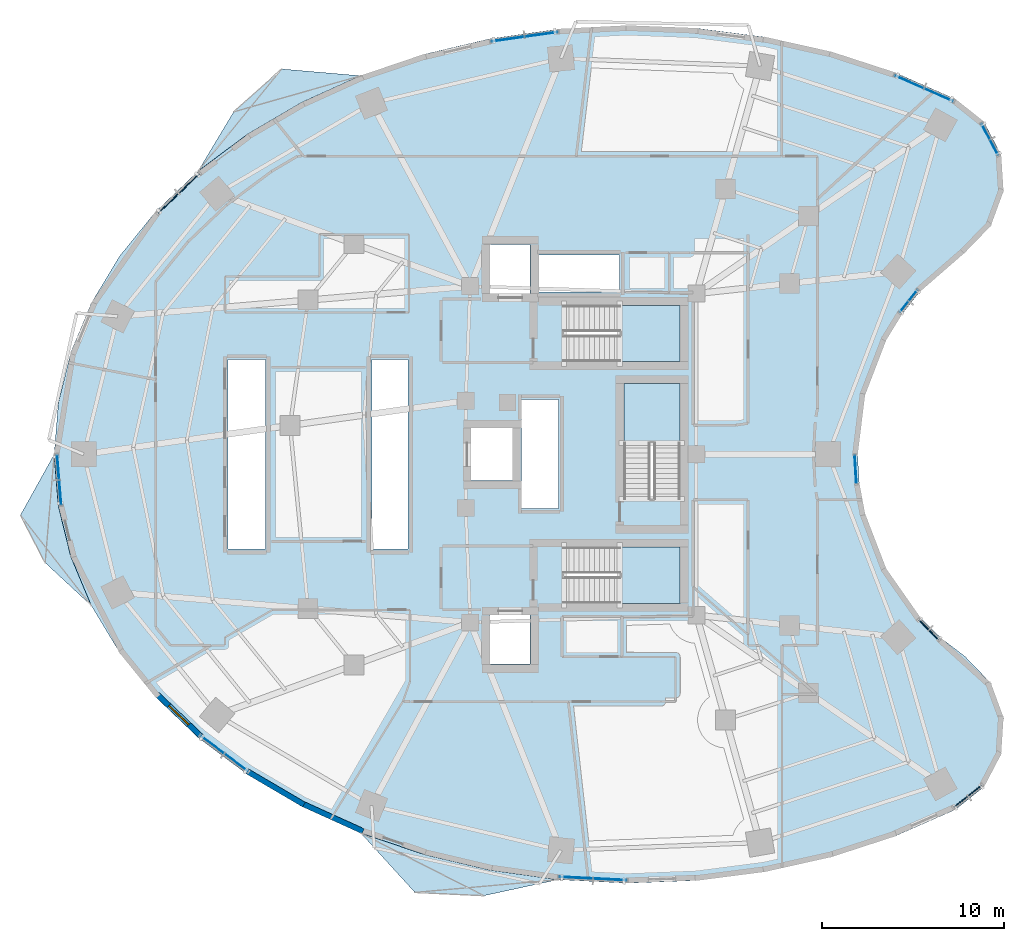
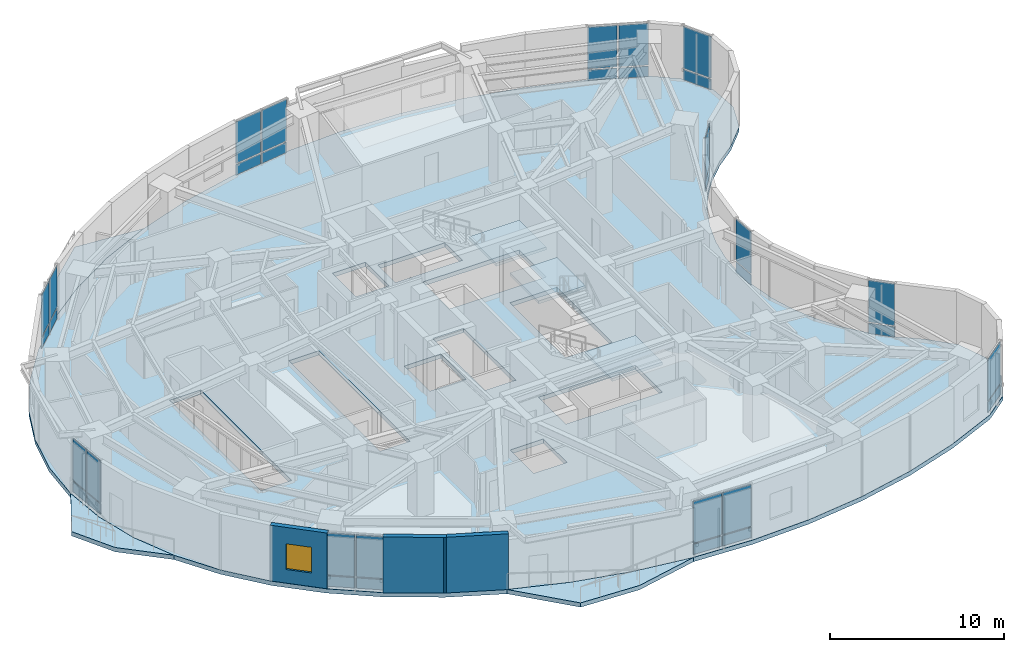
# One storey, part 7 of 15: 34 plates, 7 slabs, 3 walls, 1 window, 1 opening, 14 elements without a shape of their own.
"""IFC4 building model written with IfcOpenShell, lengths in metres."""

from ifc_helpers import new_model, si_unit, direction, frame, frame_2d, origin, origin_2d, place, context, subcontext, project, spatial, polyline, rectangle, outline, extrude, material, layer, layer_set, type_object, element, fill, aggregate, save


model = new_model("IFC4")

# Units and contexts
model_context = context("Model", 3, precision=1e-05, world=origin(), true_north=direction((0.0, 1.0)))
body_context = subcontext(model_context, "Body", "Model", "MODEL_VIEW")
ifc_project = project(units=[si_unit("LENGTHUNIT", "METRE"), si_unit("AREAUNIT", "SQUARE_METRE"), si_unit("VOLUMEUNIT", "CUBIC_METRE"), si_unit("PLANEANGLEUNIT", "RADIAN"), si_unit("MASSUNIT", "GRAM", prefix="KILO")], contexts=[model_context])

# Site, building, storey
site_placement = place(None, origin())
site = spatial("IfcSite", under=ifc_project, at=site_placement, CompositionType="ELEMENT")
building_placement = place(site_placement, origin())
building = spatial("IfcBuilding", under=site, at=building_placement, Name="Korentha Bioscience Tower", CompositionType="ELEMENT")
storey_placement = place(building_placement, frame((0.0, 0.0, 72.0)))
storey = spatial("IfcBuildingStorey", under=building, at=storey_placement, Name="L16", CompositionType="ELEMENT", Elevation=72.0)

# Curtain wall, plates
ifc_material_1 = material(Name="Thermally Broken Aluminium Frame", Category="aluminium")
ifc_layer_1 = layer(ifc_material_1, 0.219970703125, Name="Thermally Broken Aluminium Frame")
ifc_layer_set_1 = layer_set([ifc_layer_1], Name="Thermally Broken Aluminium Frame (CW-T2)")
curtain_wall_type_1 = type_object("IfcCurtainWallType", Name="Solar-Screened Lab Unitised Curtain Wall CW-T2", PredefinedType="USERDEFINED", material=ifc_layer_set_1)
curtain_wall_1_placement = place(storey_placement, origin())
curtain_wall_1 = element("IfcCurtainWall", 1, at=curtain_wall_1_placement, inside=storey, type_object=curtain_wall_type_1, Name="L16 Curtain Wall 01", ObjectType="UNITISED", PredefinedType="USERDEFINED")
ifc_material_2 = material(Name="Triple-Glazed Low-E Insulated Glass", Category="glass")
ifc_layer_2 = layer(ifc_material_2, 0.0439453125, Name="Triple-Glazed Low-E Insulated Glass")
ifc_layer_set_2 = layer_set([ifc_layer_2], Name="Triple-Glazed Low-E Insulated Glass (GL-44)")
plate_type = type_object("IfcPlateType", Name="Glazed Panel 44mm", PredefinedType="CURTAIN_PANEL", material=ifc_layer_set_2)
plate_1_placement = place(storey_placement, frame((50.893310546875, 46.780029296875, 0.08984375), z_axis=(0.0, 0.0, 1.0), x_axis=(-0.91593909057, 0.401317308828, 0.0)))
plate_1 = element("IfcPlate", 2, at=plate_1_placement, type_object=plate_type, Name="CW-L16-01 Bay 1 Glazed Panel 1", PredefinedType="CURTAIN_PANEL", context=body_context, shape_type="SweptSolid", body=[
    extrude(rectangle(XDim=1.701171875, YDim=0.0439453125, at=origin_2d()), origin(), (0.0, 0.0, 1.0), 0.715087890625),
])
plate_2_placement = place(storey_placement, frame((50.893310546875, 46.780029296875, 0.89501953125), z_axis=(0.0, 0.0, 1.0), x_axis=(-0.91593909057, 0.401317308828, 0.0)))
plate_2 = element("IfcPlate", 3, at=plate_2_placement, type_object=plate_type, Name="CW-L16-01 Bay 1 Glazed Panel 2", PredefinedType="CURTAIN_PANEL", context=body_context, shape_type="SweptSolid", body=[
    extrude(rectangle(XDim=1.701171875, YDim=0.0439453125, at=origin_2d()), origin(), (0.0, 0.0, 1.0), 2.9150390625),
])
plate_3_placement = place(storey_placement, frame((49.25244140625, 47.498779296875, 0.08984375), z_axis=(0.0, 0.0, 1.0), x_axis=(-0.91593909057, 0.401317308828, 0.0)))
plate_3 = element("IfcPlate", 4, at=plate_3_placement, type_object=plate_type, Name="CW-L16-01 Bay 2 Glazed Panel 1", PredefinedType="CURTAIN_PANEL", context=body_context, shape_type="SweptSolid", body=[
    extrude(rectangle(XDim=1.701171875, YDim=0.0439453125, at=origin_2d()), origin(), (0.0, 0.0, 1.0), 0.715087890625),
])
plate_4_placement = place(storey_placement, frame((49.25244140625, 47.498779296875, 0.89501953125), z_axis=(0.0, 0.0, 1.0), x_axis=(-0.91593909057, 0.401317308828, 0.0)))
plate_4 = element("IfcPlate", 5, at=plate_4_placement, type_object=plate_type, Name="CW-L16-01 Bay 2 Glazed Panel 2", PredefinedType="CURTAIN_PANEL", context=body_context, shape_type="SweptSolid", body=[
    extrude(rectangle(XDim=1.701171875, YDim=0.0439453125, at=origin_2d()), origin(), (0.0, 0.0, 1.0), 2.9150390625),
])
aggregate(curtain_wall_1, [plate_1, plate_2, plate_3, plate_4])

curtain_wall_2_placement = place(storey_placement, origin())
curtain_wall_2 = element("IfcCurtainWall", 6, at=curtain_wall_2_placement, inside=storey, type_object=curtain_wall_type_1, Name="L16 Curtain Wall 07", ObjectType="UNITISED", PredefinedType="USERDEFINED")
plate_5_placement = place(storey_placement, frame((29.0224609375, 50.11572265625, 0.08984375), z_axis=(0.0, 0.0, 1.0), x_axis=(-0.990167372968, -0.139887717511, 0.0)))
plate_5 = element("IfcPlate", 7, at=plate_5_placement, type_object=plate_type, Name="CW-L16-07 Bay 1 Glazed Panel 1", PredefinedType="CURTAIN_PANEL", context=body_context, shape_type="SweptSolid", body=[
    extrude(rectangle(XDim=1.800537109375, YDim=0.0439453125, at=origin_2d()), origin(), (0.0, 0.0, 1.0), 0.715087890625),
])
plate_6_placement = place(storey_placement, frame((29.0224609375, 50.11572265625, 0.89501953125), z_axis=(0.0, 0.0, 1.0), x_axis=(-0.990167372968, -0.139887717511, 0.0)))
plate_6 = element("IfcPlate", 8, at=plate_6_placement, type_object=plate_type, Name="CW-L16-07 Bay 1 Glazed Panel 2", PredefinedType="CURTAIN_PANEL", context=body_context, shape_type="SweptSolid", body=[
    extrude(rectangle(XDim=1.800537109375, YDim=0.0439453125, at=origin_2d()), origin(), (0.0, 0.0, 1.0), 2.9150390625),
])
plate_7_placement = place(storey_placement, frame((27.150634765625, 49.851318359375, 0.08984375), z_axis=(0.0, 0.0, 1.0), x_axis=(-0.990167372968, -0.139887717511, 0.0)))
plate_7 = element("IfcPlate", 9, at=plate_7_placement, type_object=plate_type, Name="CW-L16-07 Bay 2 Glazed Panel 1", PredefinedType="CURTAIN_PANEL", context=body_context, shape_type="SweptSolid", body=[
    extrude(rectangle(XDim=1.800537109375, YDim=0.0439453125, at=origin_2d()), origin(), (0.0, 0.0, 1.0), 0.715087890625),
])
plate_8_placement = place(storey_placement, frame((27.150634765625, 49.851318359375, 0.89501953125), z_axis=(0.0, 0.0, 1.0), x_axis=(-0.990167372968, -0.139887717511, 0.0)))
plate_8 = element("IfcPlate", 10, at=plate_8_placement, type_object=plate_type, Name="CW-L16-07 Bay 2 Glazed Panel 2", PredefinedType="CURTAIN_PANEL", context=body_context, shape_type="SweptSolid", body=[
    extrude(rectangle(XDim=1.800537109375, YDim=0.0439453125, at=origin_2d()), origin(), (0.0, 0.0, 1.0), 2.9150390625),
])
aggregate(curtain_wall_2, [plate_5, plate_6, plate_7, plate_8])

curtain_wall_3_placement = place(storey_placement, origin())
curtain_wall_3 = element("IfcCurtainWall", 11, at=curtain_wall_3_placement, inside=storey, type_object=curtain_wall_type_1, Name="L16 Curtain Wall 13", ObjectType="UNITISED", PredefinedType="USERDEFINED")
plate_9_placement = place(storey_placement, frame((9.643798828125, 41.9091796875, 0.08984375), z_axis=(0.0, 0.0, 1.0), x_axis=(-0.723641761581, -0.690175775361, 0.0)))
plate_9 = element("IfcPlate", 12, at=plate_9_placement, type_object=plate_type, Name="CW-L16-13 Bay 1 Glazed Panel 1", PredefinedType="CURTAIN_PANEL", context=body_context, shape_type="SweptSolid", body=[
    extrude(rectangle(XDim=1.5263671875, YDim=0.0439453125, at=origin_2d()), origin(), (0.0, 0.0, 1.0), 0.715087890625),
])
plate_10_placement = place(storey_placement, frame((9.643798828125, 41.9091796875, 0.89501953125), z_axis=(0.0, 0.0, 1.0), x_axis=(-0.723641761581, -0.690175775361, 0.0)))
plate_10 = element("IfcPlate", 13, at=plate_10_placement, type_object=plate_type, Name="CW-L16-13 Bay 1 Glazed Panel 2", PredefinedType="CURTAIN_PANEL", context=body_context, shape_type="SweptSolid", body=[
    extrude(rectangle(XDim=1.5263671875, YDim=0.0439453125, at=origin_2d()), origin(), (0.0, 0.0, 1.0), 2.9150390625),
])
plate_11_placement = place(storey_placement, frame((8.47412109375, 40.793701171875, 0.08984375), z_axis=(0.0, 0.0, 1.0), x_axis=(-0.723641761581, -0.690175775361, 0.0)))
plate_11 = element("IfcPlate", 14, at=plate_11_placement, type_object=plate_type, Name="CW-L16-13 Bay 2 Glazed Panel 1", PredefinedType="CURTAIN_PANEL", context=body_context, shape_type="SweptSolid", body=[
    extrude(rectangle(XDim=1.5263671875, YDim=0.0439453125, at=origin_2d()), origin(), (0.0, 0.0, 1.0), 0.715087890625),
])
plate_12_placement = place(storey_placement, frame((8.47412109375, 40.793701171875, 0.89501953125), z_axis=(0.0, 0.0, 1.0), x_axis=(-0.723641761581, -0.690175775361, 0.0)))
plate_12 = element("IfcPlate", 15, at=plate_12_placement, type_object=plate_type, Name="CW-L16-13 Bay 2 Glazed Panel 2", PredefinedType="CURTAIN_PANEL", context=body_context, shape_type="SweptSolid", body=[
    extrude(rectangle(XDim=1.5263671875, YDim=0.0439453125, at=origin_2d()), origin(), (0.0, 0.0, 1.0), 2.9150390625),
])
aggregate(curtain_wall_3, [plate_9, plate_10, plate_11, plate_12])

curtain_wall_4_placement = place(storey_placement, origin())
curtain_wall_4 = element("IfcCurtainWall", 16, at=curtain_wall_4_placement, inside=storey, type_object=curtain_wall_type_1, Name="L16 Curtain Wall 19", ObjectType="UNITISED", PredefinedType="USERDEFINED")
plate_13_placement = place(storey_placement, frame((2.4169921875, 26.302734375, 0.08984375), z_axis=(0.0, 0.0, 1.0), x_axis=(0.080820466375, -0.996728675325, 0.0)))
plate_13 = element("IfcPlate", 17, at=plate_13_placement, type_object=plate_type, Name="CW-L16-19 Bay 1 Glazed Panel 1", PredefinedType="CURTAIN_PANEL", context=body_context, shape_type="SweptSolid", body=[
    extrude(rectangle(XDim=1.324951171875, YDim=0.0439453125, at=origin_2d()), origin(), (0.0, 0.0, 1.0), 0.715087890625),
])
plate_14_placement = place(storey_placement, frame((2.4169921875, 26.302734375, 0.89501953125), z_axis=(0.0, 0.0, 1.0), x_axis=(0.080820466375, -0.996728675325, 0.0)))
plate_14 = element("IfcPlate", 18, at=plate_14_placement, type_object=plate_type, Name="CW-L16-19 Bay 1 Glazed Panel 2", PredefinedType="CURTAIN_PANEL", context=body_context, shape_type="SweptSolid", body=[
    extrude(rectangle(XDim=1.324951171875, YDim=0.0439453125, at=origin_2d()), origin(), (0.0, 0.0, 1.0), 2.9150390625),
])
plate_15_placement = place(storey_placement, frame((2.531494140625, 24.892333984375, 0.08984375), z_axis=(0.0, 0.0, 1.0), x_axis=(0.080820466375, -0.996728675325, 0.0)))
plate_15 = element("IfcPlate", 19, at=plate_15_placement, type_object=plate_type, Name="CW-L16-19 Bay 2 Glazed Panel 1", PredefinedType="CURTAIN_PANEL", context=body_context, shape_type="SweptSolid", body=[
    extrude(rectangle(XDim=1.324951171875, YDim=0.0439453125, at=origin_2d()), origin(), (0.0, 0.0, 1.0), 0.715087890625),
])
plate_16_placement = place(storey_placement, frame((2.531494140625, 24.892333984375, 0.89501953125), z_axis=(0.0, 0.0, 1.0), x_axis=(0.080820466375, -0.996728675325, 0.0)))
plate_16 = element("IfcPlate", 20, at=plate_16_placement, type_object=plate_type, Name="CW-L16-19 Bay 2 Glazed Panel 2", PredefinedType="CURTAIN_PANEL", context=body_context, shape_type="SweptSolid", body=[
    extrude(rectangle(XDim=1.324951171875, YDim=0.0439453125, at=origin_2d()), origin(), (0.0, 0.0, 1.0), 2.9150390625),
])
aggregate(curtain_wall_4, [plate_13, plate_14, plate_15, plate_16])

curtain_wall_5_placement = place(storey_placement, origin())
curtain_wall_5 = element("IfcCurtainWall", 21, at=curtain_wall_5_placement, inside=storey, type_object=curtain_wall_type_1, Name="L16 Curtain Wall 25", ObjectType="UNITISED", PredefinedType="USERDEFINED")
plate_17_placement = place(storey_placement, frame((10.892578125, 11.037109375, 0.08984375), z_axis=(0.0, 0.0, 1.0), x_axis=(0.800797909614, -0.598934644145, 0.0)))
plate_17 = element("IfcPlate", 22, at=plate_17_placement, type_object=plate_type, Name="CW-L16-25 Bay 1 Glazed Panel 1", PredefinedType="CURTAIN_PANEL", context=body_context, shape_type="SweptSolid", body=[
    extrude(rectangle(XDim=1.58544921875, YDim=0.0439453125, at=origin_2d()), origin(), (0.0, 0.0, 1.0), 0.715087890625),
])
plate_18_placement = place(storey_placement, frame((10.892578125, 11.037109375, 0.89501953125), z_axis=(0.0, 0.0, 1.0), x_axis=(0.800797909614, -0.598934644145, 0.0)))
plate_18 = element("IfcPlate", 23, at=plate_18_placement, type_object=plate_type, Name="CW-L16-25 Bay 1 Glazed Panel 2", PredefinedType="CURTAIN_PANEL", context=body_context, shape_type="SweptSolid", body=[
    extrude(rectangle(XDim=1.58544921875, YDim=0.0439453125, at=origin_2d()), origin(), (0.0, 0.0, 1.0), 2.9150390625),
])
plate_19_placement = place(storey_placement, frame((12.234375, 10.033447265625, 0.08984375), z_axis=(0.0, 0.0, 1.0), x_axis=(0.800797909614, -0.598934644145, 0.0)))
plate_19 = element("IfcPlate", 24, at=plate_19_placement, type_object=plate_type, Name="CW-L16-25 Bay 2 Glazed Panel 1", PredefinedType="CURTAIN_PANEL", context=body_context, shape_type="SweptSolid", body=[
    extrude(rectangle(XDim=1.58544921875, YDim=0.0439453125, at=origin_2d()), origin(), (0.0, 0.0, 1.0), 0.715087890625),
])
plate_20_placement = place(storey_placement, frame((12.234375, 10.033447265625, 0.89501953125), z_axis=(0.0, 0.0, 1.0), x_axis=(0.800797909614, -0.598934644145, 0.0)))
plate_20 = element("IfcPlate", 25, at=plate_20_placement, type_object=plate_type, Name="CW-L16-25 Bay 2 Glazed Panel 2", PredefinedType="CURTAIN_PANEL", context=body_context, shape_type="SweptSolid", body=[
    extrude(rectangle(XDim=1.58544921875, YDim=0.0439453125, at=origin_2d()), origin(), (0.0, 0.0, 1.0), 2.9150390625),
])
aggregate(curtain_wall_5, [plate_17, plate_18, plate_19, plate_20])

curtain_wall_6_placement = place(storey_placement, origin())
curtain_wall_6 = element("IfcCurtainWall", 26, at=curtain_wall_6_placement, inside=storey, type_object=curtain_wall_type_1, Name="L16 Curtain Wall 31", ObjectType="UNITISED", PredefinedType="USERDEFINED")
plate_21_placement = place(storey_placement, frame((30.90478515625, 3.70458984375, 0.08984375), z_axis=(0.0, 0.0, 1.0), x_axis=(0.998730551641, -0.050371472279, 0.0)))
plate_21 = element("IfcPlate", 27, at=plate_21_placement, type_object=plate_type, Name="CW-L16-31 Bay 1 Glazed Panel 1", PredefinedType="CURTAIN_PANEL", context=body_context, shape_type="SweptSolid", body=[
    extrude(rectangle(XDim=1.8134765625, YDim=0.0439453125, at=origin_2d()), origin(), (0.0, 0.0, 1.0), 0.715087890625),
])
plate_22_placement = place(storey_placement, frame((30.90478515625, 3.70458984375, 0.89501953125), z_axis=(0.0, 0.0, 1.0), x_axis=(0.998730551641, -0.050371472279, 0.0)))
plate_22 = element("IfcPlate", 28, at=plate_22_placement, type_object=plate_type, Name="CW-L16-31 Bay 1 Glazed Panel 2", PredefinedType="CURTAIN_PANEL", context=body_context, shape_type="SweptSolid", body=[
    extrude(rectangle(XDim=1.8134765625, YDim=0.0439453125, at=origin_2d()), origin(), (0.0, 0.0, 1.0), 2.9150390625),
])
plate_23_placement = place(storey_placement, frame((32.805908203125, 3.608642578125, 0.08984375), z_axis=(0.0, 0.0, 1.0), x_axis=(0.998730551641, -0.050371472279, 0.0)))
plate_23 = element("IfcPlate", 29, at=plate_23_placement, type_object=plate_type, Name="CW-L16-31 Bay 2 Glazed Panel 1", PredefinedType="CURTAIN_PANEL", context=body_context, shape_type="SweptSolid", body=[
    extrude(rectangle(XDim=1.8134765625, YDim=0.0439453125, at=origin_2d()), origin(), (0.0, 0.0, 1.0), 0.715087890625),
])
plate_24_placement = place(storey_placement, frame((32.805908203125, 3.608642578125, 0.89501953125), z_axis=(0.0, 0.0, 1.0), x_axis=(0.998730551641, -0.050371472279, 0.0)))
plate_24 = element("IfcPlate", 30, at=plate_24_placement, type_object=plate_type, Name="CW-L16-31 Bay 2 Glazed Panel 2", PredefinedType="CURTAIN_PANEL", context=body_context, shape_type="SweptSolid", body=[
    extrude(rectangle(XDim=1.8134765625, YDim=0.0439453125, at=origin_2d()), origin(), (0.0, 0.0, 1.0), 2.9150390625),
])
aggregate(curtain_wall_6, [plate_21, plate_22, plate_23, plate_24])

curtain_wall_7_placement = place(storey_placement, origin())
curtain_wall_7 = element("IfcCurtainWall", 31, at=curtain_wall_7_placement, inside=storey, type_object=curtain_wall_type_1, Name="L16 Curtain Wall 37", ObjectType="UNITISED", PredefinedType="USERDEFINED")
plate_25_placement = place(storey_placement, frame((52.4755859375, 8.19140625, 0.08984375), z_axis=(0.0, 0.0, 1.0), x_axis=(0.782287851332, 0.62291710336, 0.0)))
plate_25 = element("IfcPlate", 32, at=plate_25_placement, type_object=plate_type, Name="CW-L16-37 Bay 1 Glazed Panel 1", PredefinedType="CURTAIN_PANEL", context=body_context, shape_type="SweptSolid", body=[
    extrude(rectangle(XDim=1.927734375, YDim=0.0439453125, at=origin_2d()), origin(), (0.0, 0.0, 1.0), 0.715087890625),
])
plate_26_placement = place(storey_placement, frame((52.4755859375, 8.19140625, 0.89501953125), z_axis=(0.0, 0.0, 1.0), x_axis=(0.782287851332, 0.62291710336, 0.0)))
plate_26 = element("IfcPlate", 33, at=plate_26_placement, type_object=plate_type, Name="CW-L16-37 Bay 1 Glazed Panel 2", PredefinedType="CURTAIN_PANEL", context=body_context, shape_type="SweptSolid", body=[
    extrude(rectangle(XDim=1.927734375, YDim=0.0439453125, at=origin_2d()), origin(), (0.0, 0.0, 1.0), 2.9150390625),
])
aggregate(curtain_wall_7, [plate_25, plate_26])

curtain_wall_8_placement = place(storey_placement, origin())
curtain_wall_8 = element("IfcCurtainWall", 34, at=curtain_wall_8_placement, inside=storey, type_object=curtain_wall_type_1, Name="L16 Curtain Wall 43", ObjectType="UNITISED", PredefinedType="USERDEFINED")
plate_27_placement = place(storey_placement, frame((50.333251953125, 17.335693359375, 0.08984375), z_axis=(0.0, 0.0, 1.0), x_axis=(-0.713279246754, 0.700879958445, 0.0)))
plate_27 = element("IfcPlate", 35, at=plate_27_placement, type_object=plate_type, Name="CW-L16-43 Bay 1 Glazed Panel 1", PredefinedType="CURTAIN_PANEL", context=body_context, shape_type="SweptSolid", body=[
    extrude(rectangle(XDim=1.537841796875, YDim=0.0439453125, at=origin_2d()), origin(), (0.0, 0.0, 1.0), 0.715087890625),
])
plate_28_placement = place(storey_placement, frame((50.333251953125, 17.335693359375, 0.89501953125), z_axis=(0.0, 0.0, 1.0), x_axis=(-0.713279246754, 0.700879958445, 0.0)))
plate_28 = element("IfcPlate", 36, at=plate_28_placement, type_object=plate_type, Name="CW-L16-43 Bay 1 Glazed Panel 2", PredefinedType="CURTAIN_PANEL", context=body_context, shape_type="SweptSolid", body=[
    extrude(rectangle(XDim=1.537841796875, YDim=0.0439453125, at=origin_2d()), origin(), (0.0, 0.0, 1.0), 2.9150390625),
])
aggregate(curtain_wall_8, [plate_27, plate_28])

ifc_layer_3 = layer(ifc_material_1, 0.219970703125, Name="Thermally Broken Aluminium Frame")
ifc_layer_set_3 = layer_set([ifc_layer_3], Name="Thermally Broken Aluminium Frame (CW-T1)")
curtain_wall_type_2 = type_object("IfcCurtainWallType", Name="Standard Bioscience Lab Unitised Curtain Wall CW-T1", PredefinedType="USERDEFINED", material=ifc_layer_set_3)
curtain_wall_9_placement = place(storey_placement, origin())
curtain_wall_9 = element("IfcCurtainWall", 37, at=curtain_wall_9_placement, inside=storey, type_object=curtain_wall_type_2, Name="L16 Curtain Wall 49", ObjectType="UNITISED", PredefinedType="USERDEFINED")
plate_29_placement = place(storey_placement, frame((46.305908203125, 26.1728515625, 0.08984375), z_axis=(0.0, 0.0, 1.0), x_axis=(-0.061008272998, 0.998137260413, 0.0)))
plate_29 = element("IfcPlate", 38, at=plate_29_placement, type_object=plate_type, Name="CW-L16-49 Bay 1 Glazed Panel 1", PredefinedType="CURTAIN_PANEL", context=body_context, shape_type="SweptSolid", body=[
    extrude(rectangle(XDim=1.537841796875, YDim=0.0439453125, at=origin_2d()), origin(), (0.0, 0.0, 1.0), 0.715087890625),
])
plate_30_placement = place(storey_placement, frame((46.305908203125, 26.1728515625, 0.89501953125), z_axis=(0.0, 0.0, 1.0), x_axis=(-0.061008272998, 0.998137260413, 0.0)))
plate_30 = element("IfcPlate", 39, at=plate_30_placement, type_object=plate_type, Name="CW-L16-49 Bay 1 Glazed Panel 2", PredefinedType="CURTAIN_PANEL", context=body_context, shape_type="SweptSolid", body=[
    extrude(rectangle(XDim=1.537841796875, YDim=0.0439453125, at=origin_2d()), origin(), (0.0, 0.0, 1.0), 2.9150390625),
])
aggregate(curtain_wall_9, [plate_29, plate_30])

curtain_wall_10_placement = place(storey_placement, origin())
curtain_wall_10 = element("IfcCurtainWall", 40, at=curtain_wall_10_placement, inside=storey, type_object=curtain_wall_type_1, Name="L16 Curtain Wall 55", ObjectType="UNITISED", PredefinedType="USERDEFINED")
plate_31_placement = place(storey_placement, frame((49.226318359375, 35.434814453125, 0.08984375), z_axis=(0.0, 0.0, 1.0), x_axis=(0.622520324648, 0.782603632371, 0.0)))
plate_31 = element("IfcPlate", 41, at=plate_31_placement, type_object=plate_type, Name="CW-L16-55 Bay 1 Glazed Panel 1", PredefinedType="CURTAIN_PANEL", context=body_context, shape_type="SweptSolid", body=[
    extrude(rectangle(XDim=1.537841796875, YDim=0.0439453125, at=origin_2d()), origin(), (0.0, 0.0, 1.0), 0.715087890625),
])
plate_32_placement = place(storey_placement, frame((49.226318359375, 35.434814453125, 0.89501953125), z_axis=(0.0, 0.0, 1.0), x_axis=(0.622520324648, 0.782603632371, 0.0)))
plate_32 = element("IfcPlate", 42, at=plate_32_placement, type_object=plate_type, Name="CW-L16-55 Bay 1 Glazed Panel 2", PredefinedType="CURTAIN_PANEL", context=body_context, shape_type="SweptSolid", body=[
    extrude(rectangle(XDim=1.537841796875, YDim=0.0439453125, at=origin_2d()), origin(), (0.0, 0.0, 1.0), 2.9150390625),
])
aggregate(curtain_wall_10, [plate_31, plate_32])

curtain_wall_11_placement = place(storey_placement, origin())
curtain_wall_11 = element("IfcCurtainWall", 43, at=curtain_wall_11_placement, inside=storey, type_object=curtain_wall_type_1, Name="L16 Curtain Wall 61", ObjectType="UNITISED", PredefinedType="USERDEFINED")
plate_33_placement = place(storey_placement, frame((53.6962890625, 44.32958984375, 0.08984375), z_axis=(0.0, 0.0, 1.0), x_axis=(-0.463008597697, 0.886353788539, 0.0)))
plate_33 = element("IfcPlate", 44, at=plate_33_placement, type_object=plate_type, Name="CW-L16-61 Bay 1 Glazed Panel 1", PredefinedType="CURTAIN_PANEL", context=body_context, shape_type="SweptSolid", body=[
    extrude(rectangle(XDim=1.927734375, YDim=0.0439453125, at=origin_2d()), origin(), (0.0, 0.0, 1.0), 0.715087890625),
])
plate_34_placement = place(storey_placement, frame((53.6962890625, 44.32958984375, 0.89501953125), z_axis=(0.0, 0.0, 1.0), x_axis=(-0.463008597697, 0.886353788539, 0.0)))
plate_34 = element("IfcPlate", 45, at=plate_34_placement, type_object=plate_type, Name="CW-L16-61 Bay 1 Glazed Panel 2", PredefinedType="CURTAIN_PANEL", context=body_context, shape_type="SweptSolid", body=[
    extrude(rectangle(XDim=1.927734375, YDim=0.0439453125, at=origin_2d()), origin(), (0.0, 0.0, 1.0), 2.9150390625),
])
aggregate(curtain_wall_11, [plate_33, plate_34])

# Slab
ifc_material_3 = material(Name="Concrete C50", Category="concrete")
ifc_layer_4 = layer(ifc_material_3, 0.300048828125, Name="Concrete C50")
ifc_layer_set_4 = layer_set([ifc_layer_4], Name="Concrete C50 (SL-L300)")
slab_type_1 = type_object("IfcSlabType", Name="Laboratory Vibration-Controlled Slab 300", PredefinedType="FLOOR", material=ifc_layer_set_4)
slab_1_placement = place(storey_placement, frame((0.0, 0.0, -0.300048828125)))
element("IfcSlab", 46, at=slab_1_placement, inside=storey, type_object=slab_type_1, Name="L16 Tower Structural Floor Slab", PredefinedType="FLOOR", context=body_context, shape_type="SweptSolid", body=[
    extrude(outline(polyline([(51.7822265625, 46.565185546875), (48.49169921875, 48.0068359375), (44.9921875, 49.145263671875), (41.33349609375, 49.9638671875), (37.569091796875, 50.450927734375), (33.75341796875, 50.599365234375), (29.94091796875, 50.406982421875), (26.187255859375, 49.876708984375), (22.54638671875, 49.01611328125), (19.07080078125, 47.837646484375), (15.810791015625, 46.358154296875), (12.8134765625, 44.599365234375), (10.1220703125, 42.58642578125), (7.775390625, 40.348388671875), (5.807373046875, 37.91748046875), (4.246337890625, 35.3291015625), (3.114990234375, 32.62060546875), (2.4296875, 29.830810546875), (2.199951171875, 27.0), (2.4296875, 24.169189453125), (3.114990234375, 21.37939453125), (4.246337890625, 18.6708984375), (5.807373046875, 16.08251953125), (7.775390625, 13.651611328125), (10.1220703125, 11.41357421875), (12.8134765625, 9.400634765625), (15.810791015625, 7.641845703125), (19.07080078125, 6.162353515625), (22.54638671875, 4.98388671875), (26.187255859375, 4.123291015625), (29.94091796875, 3.593017578125), (33.75341796875, 3.400634765625), (37.569091796875, 3.549072265625), (41.33349609375, 4.0361328125), (44.9921875, 4.854736328125), (48.49169921875, 5.9931640625), (51.7822265625, 7.434814453125), (53.368408203125, 8.69775390625), (54.307373046875, 10.4951171875), (54.4384765625, 12.518310546875), (53.739013671875, 14.421630859375), (52.3291015625, 15.878662109375), (51.029541015625, 16.875732421875), (49.861328125, 18.023681640625), (48.841796875, 19.3056640625), (47.98583984375, 20.7021484375), (47.306640625, 22.192626953125), (46.814208984375, 23.754638671875), (46.515625, 25.365234375), (46.415771484375, 27.0), (46.515625, 28.634765625), (46.814208984375, 30.245361328125), (47.306640625, 31.807373046875), (47.98583984375, 33.2978515625), (48.841796875, 34.6943359375), (49.861328125, 35.976318359375), (51.029541015625, 37.124267578125), (52.3291015625, 38.121337890625), (53.739013671875, 39.578369140625), (54.4384765625, 41.481689453125), (54.307373046875, 43.5048828125), (53.368408203125, 45.30224609375), (51.7822265625, 46.565185546875)]), holes=[polyline([(30.25, 32.10009765625), (36.64990234375, 32.10009765625), (36.64990234375, 35.199951171875), (30.25, 35.199951171875), (30.25, 32.10009765625)]), polyline([(30.25, 18.800048828125), (36.64990234375, 18.800048828125), (36.64990234375, 21.89990234375), (30.25, 21.89990234375), (30.25, 18.800048828125)]), polyline([(36.64990234375, 24.550048828125), (36.64990234375, 30.89990234375), (33.550048828125, 30.89990234375), (33.550048828125, 24.550048828125), (36.64990234375, 24.550048828125)]), polyline([(11.780029296875, 21.780029296875), (13.820068359375, 21.780029296875), (13.820068359375, 32.219970703125), (11.780029296875, 32.219970703125), (11.780029296875, 21.780029296875)]), polyline([(19.679931640625, 21.780029296875), (21.669921875, 21.780029296875), (21.669921875, 32.219970703125), (19.679931640625, 32.219970703125), (19.679931640625, 21.780029296875)]), polyline([(27.929931640625, 24.030029296875), (29.969970703125, 24.030029296875), (29.969970703125, 30.02001953125), (27.929931640625, 30.02001953125), (27.929931640625, 24.030029296875)]), polyline([(28.860107421875, 35.93994140625), (33.31005859375, 35.93994140625), (33.31005859375, 37.9599609375), (28.860107421875, 37.9599609375), (28.860107421875, 35.93994140625)]), polyline([(26.199951171875, 15.449951171875), (28.39990234375, 15.449951171875), (28.39990234375, 18.14990234375), (26.199951171875, 18.14990234375), (26.199951171875, 15.449951171875)]), polyline([(26.199951171875, 35.85009765625), (28.39990234375, 35.85009765625), (28.39990234375, 38.550048828125), (26.199951171875, 38.550048828125), (26.199951171875, 35.85009765625)]), polyline([(25.14990234375, 25.550048828125), (27.550048828125, 25.550048828125), (27.550048828125, 28.449951171875), (25.14990234375, 28.449951171875), (25.14990234375, 25.550048828125)])]), origin(), (0.0, 0.0, 1.0), 0.300048828125),
])

# Stair, slab
ifc_material_4 = material(Name="Precast Concrete C50", Category="concrete")
stair_type = type_object("IfcStairType", Name="Core Exit Dog-Leg Stair 1450", PredefinedType="HALF_TURN_STAIR", material=ifc_material_4)
stair_1_placement = place(storey_placement, origin())
stair_1 = element("IfcStair", 47, at=stair_1_placement, inside=storey, type_object=stair_type, Name="L16 Tower North Pressurized Exit Stair ST-1", PredefinedType="HALF_TURN_STAIR")
ifc_layer_5 = layer(ifc_material_3, 0.199951171875, Name="Concrete C50")
ifc_layer_set_5 = layer_set([ifc_layer_5], Name="Concrete C50 (SL-LND)")
slab_type_2 = type_object("IfcSlabType", Name="Landing Slab 200", PredefinedType="LANDING", material=ifc_layer_set_5)
slab_2_placement = place(storey_placement, frame((0.0, 0.0, 1.89990234375)))
slab_2 = element("IfcSlab", 48, at=slab_2_placement, type_object=slab_type_2, Name="ST-1 landing 1", PredefinedType="LANDING", context=body_context, shape_type="SweptSolid", body=[
    extrude(outline(polyline([(33.330078125, 32.10009765625), (36.64990234375, 32.10009765625), (36.64990234375, 35.199951171875), (33.330078125, 35.199951171875), (33.330078125, 32.10009765625)])), origin(), (0.0, 0.0, 1.0), 0.2001953125),
])
aggregate(stair_1, [slab_2])

stair_2_placement = place(storey_placement, origin())
stair_2 = element("IfcStair", 49, at=stair_2_placement, inside=storey, type_object=stair_type, Name="L16 Tower South Pressurized Exit Stair ST-2", PredefinedType="HALF_TURN_STAIR")
slab_3_placement = place(storey_placement, frame((0.0, 0.0, 1.89990234375)))
slab_3 = element("IfcSlab", 50, at=slab_3_placement, type_object=slab_type_2, Name="ST-2 landing 1", PredefinedType="LANDING", context=body_context, shape_type="SweptSolid", body=[
    extrude(outline(polyline([(33.330078125, 18.800048828125), (36.64990234375, 18.800048828125), (36.64990234375, 21.89990234375), (33.330078125, 21.89990234375), (33.330078125, 18.800048828125)])), origin(), (0.0, 0.0, 1.0), 0.2001953125),
])
aggregate(stair_2, [slab_3])

stair_3_placement = place(storey_placement, origin())
stair_3 = element("IfcStair", 51, at=stair_3_placement, inside=storey, type_object=stair_type, Name="L16 Tower Central Pressurized Exit Stair ST-3", PredefinedType="HALF_TURN_STAIR")
slab_4_placement = place(storey_placement, frame((0.0, 0.0, 1.89990234375)))
slab_4 = element("IfcSlab", 52, at=slab_4_placement, type_object=slab_type_2, Name="ST-3 landing 1", PredefinedType="LANDING", context=body_context, shape_type="SweptSolid", body=[
    extrude(outline(polyline([(36.64990234375, 27.6298828125), (36.64990234375, 30.89990234375), (33.550048828125, 30.89990234375), (33.550048828125, 27.6298828125), (36.64990234375, 27.6298828125)])), origin(), (0.0, 0.0, 1.0), 0.2001953125),
])
aggregate(stair_3, [slab_4])

# Slabs
ifc_layer_6 = layer(ifc_material_3, 0.300048828125, Name="Concrete C50")
ifc_layer_set_6 = layer_set([ifc_layer_6], Name="Concrete C50 (BS-240)")
slab_type_3 = type_object("IfcSlabType", Name="Sawtooth Sun-Ledge Balcony Slab 240", PredefinedType="USERDEFINED", material=ifc_layer_set_6)
slab_5_placement = place(storey_placement, frame((0.0, 0.0, -0.300048828125)))
element("IfcSlab", 53, at=slab_5_placement, inside=storey, type_object=slab_type_3, Name="L16 Sun-Ledge Balcony 01", ObjectType="BALCONY", PredefinedType="USERDEFINED", context=body_context, shape_type="SweptSolid", body=[
    extrude(outline(polyline([(10.1220703125, 42.58642578125), (12.8134765625, 44.599365234375), (15.810791015625, 46.358154296875), (19.07080078125, 47.837646484375), (14.72265625, 48.21240234375), (12.07958984375, 45.849853515625), (10.1220703125, 42.58642578125)])), origin(), (0.0, 0.0, 1.0), 0.300048828125),
])
slab_6_placement = place(storey_placement, frame((0.0, 0.0, -0.300048828125)))
element("IfcSlab", 54, at=slab_6_placement, inside=storey, type_object=slab_type_3, Name="L16 Sun-Ledge Balcony 02", ObjectType="BALCONY", PredefinedType="USERDEFINED", context=body_context, shape_type="SweptSolid", body=[
    extrude(outline(polyline([(4.246337890625, 18.6708984375), (3.114990234375, 21.37939453125), (2.4296875, 24.169189453125), (2.199951171875, 27.0), (0.341796875, 23.65625), (1.706787109375, 21.03369140625), (4.246337890625, 18.6708984375)])), origin(), (0.0, 0.0, 1.0), 0.300048828125),
])
slab_7_placement = place(storey_placement, frame((0.0, 0.0, -0.300048828125)))
element("IfcSlab", 55, at=slab_7_placement, inside=storey, type_object=slab_type_3, Name="L16 Sun-Ledge Balcony 03", ObjectType="BALCONY", PredefinedType="USERDEFINED", context=body_context, shape_type="SweptSolid", body=[
    extrude(outline(polyline([(29.94091796875, 3.593017578125), (26.187255859375, 4.123291015625), (22.54638671875, 4.98388671875), (19.07080078125, 6.162353515625), (22.0517578125, 2.8916015625), (25.853759765625, 2.712158203125), (29.94091796875, 3.593017578125)])), origin(), (0.0, 0.0, 1.0), 0.300048828125),
])

# Wall, opening, window
ifc_material_5 = material(Name="Honed Limestone Precast Concrete C40", Category="masonry")
ifc_layer_7 = layer(ifc_material_5, 0.300048828125, Name="Honed Limestone Precast Concrete C40")
ifc_layer_set_7 = layer_set([ifc_layer_7], Name="Honed Limestone Precast Concrete C40 (EW-ST300)")
wall_type = type_object("IfcWallType", Name="Honed Limestone Cavity Spandrel Wall 300", PredefinedType="STANDARD", material=ifc_layer_set_7)
wall_1_placement = place(storey_placement, frame((7.84228515625, 13.808837890625, 0.0), z_axis=(0.0, 0.0, 1.0), x_axis=(0.723678516117, -0.690137236578, 0.0)))
wall_1 = element("IfcWall", 56, at=wall_1_placement, inside=storey, type_object=wall_type, Name="L16 Honed Limestone Spandrel Wall 24", PredefinedType="STANDARD", context=body_context, shape_type="SweptSolid", body=[
    extrude(rectangle(XDim=3.36279296875, YDim=0.300048828125, at=frame_2d((1.681396484375, 0.0))), origin(), (0.0, 0.0, 1.0), 3.89990234375),
])
opening_placement = place(wall_1_placement, frame((0.931396484375, 0.0, 0.949951171875)))
opening = element("IfcOpeningElement", 57, at=opening_placement, cuts=wall_1, Name="Opening WN-02", PredefinedType="OPENING", context=body_context, shape_type="SweptSolid", body=[
    extrude(rectangle(XDim=1.5, YDim=1.800048828125, at=frame_2d((0.75, 0.89990234375))), frame((0.0, 0.1650390625, 0.0), z_axis=(0.0, -1.0, 0.0), x_axis=(1.0, 0.0, 0.0)), (0.0, 0.0, 1.0), 0.329833984375),
])
ifc_material_6 = material(Name="Thermally Broken Aluminium Triple Glazing", Category="aluminium")
window_type = type_object("IfcWindowType", Name="Acoustic Operable Office Window 1500x1800", PartitioningType="DOUBLE_PANEL_VERTICAL", PredefinedType="WINDOW", material=ifc_material_6)
window_placement = place(opening_placement, origin())
window = element("IfcWindow", 58, at=window_placement, inside=storey, type_object=window_type, Name="L16 Facade Window 24", OverallHeight=1.800048828125, OverallWidth=1.5, PartitioningType="DOUBLE_PANEL_VERTICAL", PredefinedType="WINDOW", context=body_context, shape_type="SweptSolid", body=[
    extrude(rectangle(XDim=1.5, YDim=1.800048828125, at=frame_2d((0.75, 0.89990234375))), frame((0.0, 0.030029296875, 0.0), z_axis=(0.0, -1.0, 0.0), x_axis=(1.0, 0.0, 0.0)), (0.0, 0.0, 1.0), 0.06005859375),
])
fill(opening, window)

# Walls
wall_2_placement = place(storey_placement, frame((12.8154296875, 9.56201171875, 0.0), z_axis=(0.0, 0.0, 1.0), x_axis=(0.8624654944, -0.506115867139, 0.0)))
element("IfcWall", 59, at=wall_2_placement, inside=storey, type_object=wall_type, Name="L16 Limestone Perimeter Closure Wall 26", PredefinedType="STANDARD", context=body_context, shape_type="SweptSolid", body=[
    extrude(rectangle(XDim=3.63525390625, YDim=0.300048828125, at=frame_2d((1.817626953125, 0.0))), origin(), (0.0, 0.0, 1.0), 3.89990234375),
])
wall_3_placement = place(storey_placement, frame((15.7958984375, 7.80224609375, 0.0), z_axis=(0.0, 0.0, 1.0), x_axis=(0.910623406862, -0.413237233166, 0.0)))
element("IfcWall", 60, at=wall_3_placement, inside=storey, type_object=wall_type, Name="L16 Limestone Perimeter Closure Wall 27", PredefinedType="STANDARD", context=body_context, shape_type="SweptSolid", body=[
    extrude(rectangle(XDim=3.73974609375, YDim=0.300048828125, at=frame_2d((1.869873046875, 0.0))), origin(), (0.0, 0.0, 1.0), 3.89990234375),
])

save(model, "model.ifc")
